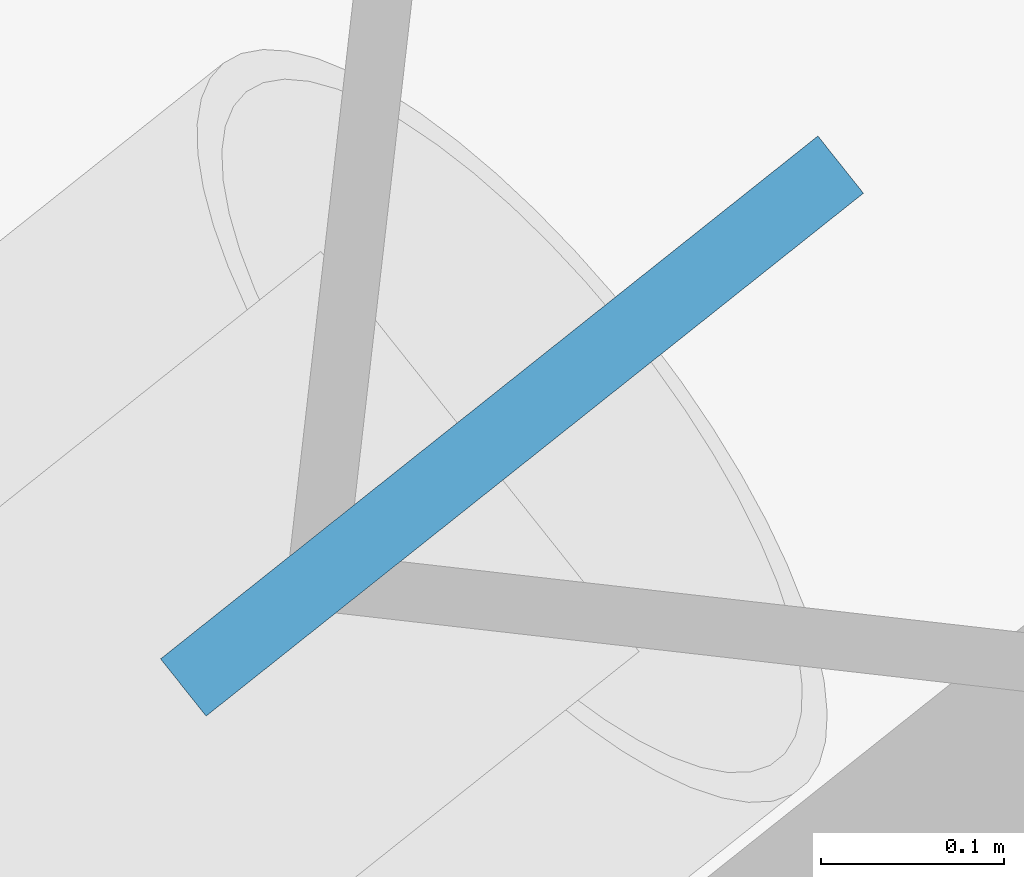
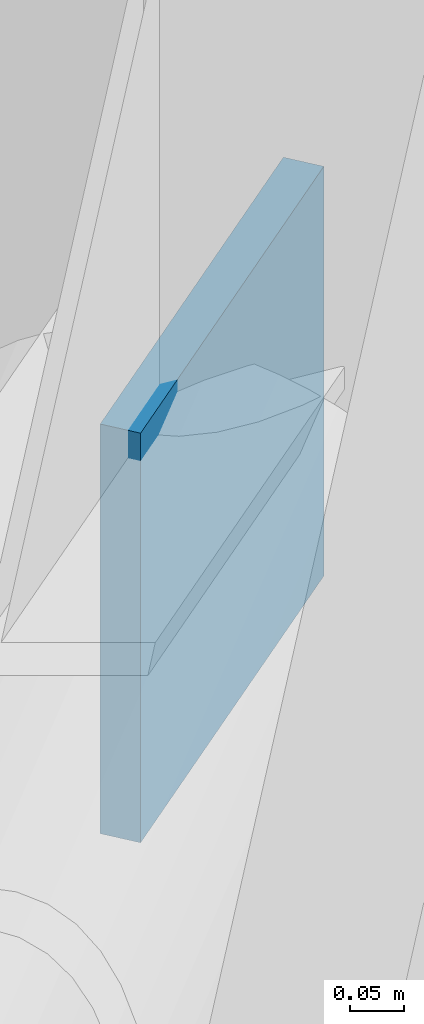
# One storey, part 20 of 23: 1 discrete accessory.
"""IFC4 building model written with IfcOpenShell, lengths in metres."""

from ifc_helpers import new_model, si_unit, direction, frame, origin, origin_2d, place, context, subcontext, project, spatial, rectangle, extrude, material, type_object, element, save


model = new_model("IFC4")

# Units and contexts
model_context = context("Model", 3, precision=1e-05, world=origin(), true_north=direction((0.0, 1.0)))
body_context = subcontext(model_context, "Body", "Model", "MODEL_VIEW")
ifc_project = project(units=[si_unit("LENGTHUNIT", "METRE"), si_unit("AREAUNIT", "SQUARE_METRE"), si_unit("VOLUMEUNIT", "CUBIC_METRE"), si_unit("PLANEANGLEUNIT", "RADIAN"), si_unit("MASSUNIT", "GRAM", prefix="KILO")], contexts=[model_context])

# Site, building, storey
site_placement = place(None, origin())
site = spatial("IfcSite", under=ifc_project, at=site_placement, CompositionType="ELEMENT")
building_placement = place(site_placement, origin())
building = spatial("IfcBuilding", under=site, at=building_placement, Name="Tavrogorsk Clinical Tower", CompositionType="ELEMENT")
storey_placement = place(building_placement, frame((0.0, 0.0, 113.39990234375)))
storey = spatial("IfcBuildingStorey", under=building, at=storey_placement, Name="L25", CompositionType="ELEMENT", Elevation=113.39990234375)

# Discrete accessory
ifc_material = material(Name="Structural steel S440", Category="steel")
discrete_accessory_type = type_object("IfcDiscreteAccessoryType", Name="GussetPlateBracket_25", PredefinedType="BRACKET", material=ifc_material)
discrete_accessory_placement = place(storey_placement, frame((-27.045654296875, 25.592041015625, 2.68505859375), z_axis=(0.0, 0.0, 1.0), x_axis=(0.782608156852, 0.622514636638, 0.0)))
element("IfcDiscreteAccessory", 1, at=discrete_accessory_placement, inside=storey, type_object=discrete_accessory_type, Name="L25 Brace Gusset Plate EXOCRN-L25-3-B", PredefinedType="BRACKET", context=body_context, shape_type="SweptSolid", body=[
    extrude(rectangle(XDim=0.4599609375, YDim=0.0400390625, at=origin_2d()), origin(), (0.0, 0.0, 1.0), 0.4599609375),
])

save(model, "model.ifc")
